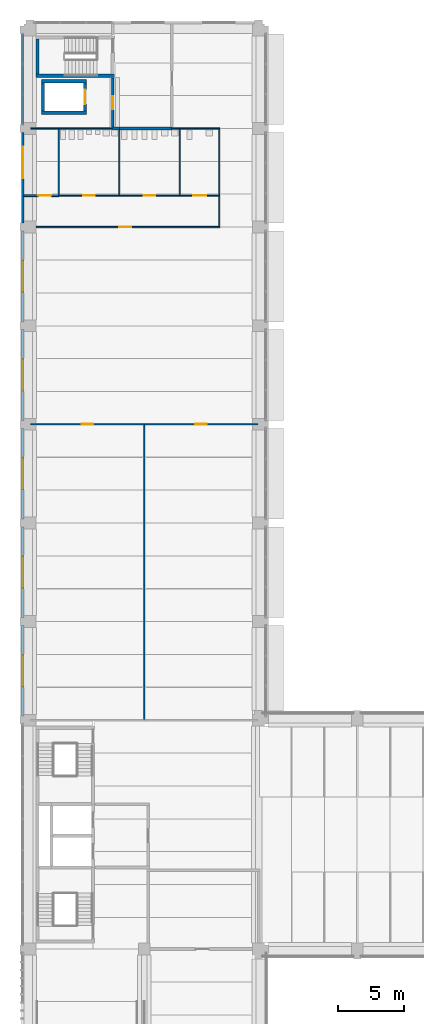
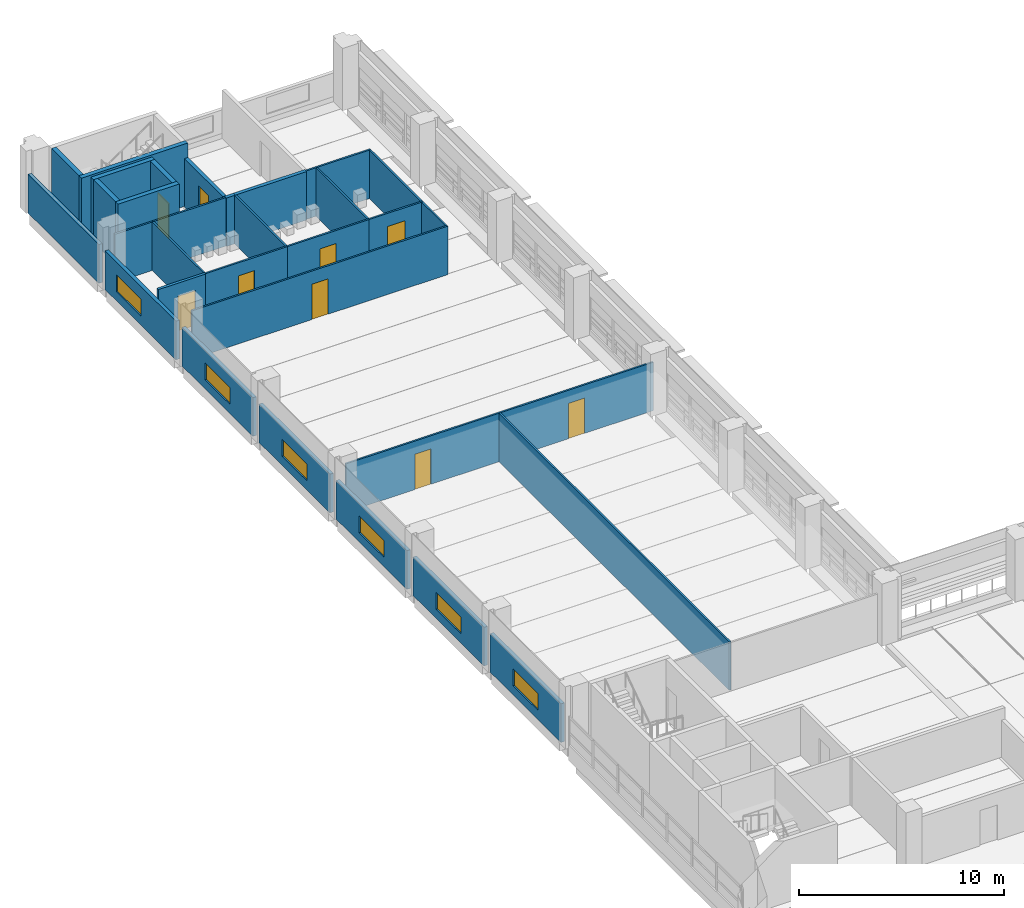
# One storey, part 31 of 57: 33 walls, 9 doors, 6 windows, 15 openings.
"""IFC4 building model written with IfcOpenShell, lengths in metres."""

from ifc_helpers import new_model, si_unit, direction, frame, frame_2d, origin, place, context, subcontext, project, spatial, rectangle, extrude, material, layer, layer_set, type_object, element, fill, save


model = new_model("IFC4")

# Units and contexts
model_context = context("Model", 3, precision=1e-05, world=origin(), true_north=direction((0.0, 1.0)))
body_context = subcontext(model_context, "Body", "Model", "MODEL_VIEW")
ifc_project = project(units=[si_unit("LENGTHUNIT", "METRE"), si_unit("AREAUNIT", "SQUARE_METRE"), si_unit("VOLUMEUNIT", "CUBIC_METRE"), si_unit("PLANEANGLEUNIT", "RADIAN"), si_unit("MASSUNIT", "GRAM", prefix="KILO")], contexts=[model_context])

# Site, building, storey
site_placement = place(None, origin())
site = spatial("IfcSite", under=ifc_project, at=site_placement, CompositionType="ELEMENT")
building_placement = place(site_placement, origin())
building = spatial("IfcBuilding", under=site, at=building_placement, Name="Cour d'Honneur Mobility Palace", CompositionType="ELEMENT")
storey_placement = place(building_placement, frame((0.0, 0.0, 8.199951171875)))
storey = spatial("IfcBuildingStorey", under=building, at=storey_placement, Name="L02", CompositionType="ELEMENT", Elevation=8.199951171875)

# Walls
ifc_material_1 = material(Name="Concrete C50", Category="concrete")
ifc_layer_1 = layer(ifc_material_1, 0.25)
ifc_layer_set_1 = layer_set([ifc_layer_1], Name="Concrete C50")
wall_type_1 = type_object("IfcWallType", Name="Lift shaft wall 250", PredefinedType="SHEAR", material=ifc_layer_set_1)
for number, where, z_axis, x_axis, name in (
    (1, (0.875, 108.60009765625, 0.0), (0.0, 0.0, 1.0), (1.0, 0.0, 0.0), "Lift shaft wall WL-NW1 L02"),
    (2, (0.875, 111.0, 0.0), (0.0, 0.0, 1.0), (1.0, 0.0, 0.0), "Lift shaft wall WL-NW2 L02"),
):
    element("IfcWall", number, at=place(storey_placement, frame(where, z_axis=z_axis, x_axis=x_axis)), inside=storey, type_object=wall_type_1, Name=name, PredefinedType="SHEAR", context=body_context, shape_type="SweptSolid", body=[
        extrude(rectangle(XDim=3.449951171875, YDim=0.25, at=frame_2d((1.72509765625, 0.0))), origin(), (0.0, 0.0, 1.0), 3.699951171875),
    ])
wall_1_placement = place(storey_placement, frame((1.0, 108.72509765625, 0.0), z_axis=(0.0, 0.0, 1.0), x_axis=(0.0, 1.0, 0.0)))
element("IfcWall", 3, at=wall_1_placement, inside=storey, type_object=wall_type_1, Name="Lift shaft wall WL-NW6 L02", PredefinedType="SHEAR", context=body_context, shape_type="SweptSolid", body=[
    extrude(rectangle(XDim=2.14990234375, YDim=0.25, at=frame_2d((1.074951171875, 0.0))), origin(), (0.0, 0.0, 1.0), 3.699951171875),
])

# Wall, opening, door
wall_2_placement = place(storey_placement, frame((4.199951171875, 108.72509765625, 0.0), z_axis=(0.0, 0.0, 1.0), x_axis=(0.0, 1.0, 0.0)))
wall_2 = element("IfcWall", 4, at=wall_2_placement, inside=storey, type_object=wall_type_1, Name="Lift shaft wall WL-NW7 L02", PredefinedType="SHEAR", context=body_context, shape_type="SweptSolid", body=[
    extrude(rectangle(XDim=2.14990234375, YDim=0.25, at=frame_2d((1.074951171875, 0.0))), origin(), (0.0, 0.0, 1.0), 3.699951171875),
])
opening_1_placement = place(wall_2_placement, frame((0.52490234375, 0.0, 0.0)))
opening_1 = element("IfcOpeningElement", 5, at=opening_1_placement, cuts=wall_2, Name="Opening LD55", PredefinedType="OPENING", context=body_context, shape_type="SweptSolid", body=[
    extrude(rectangle(XDim=1.10009765625, YDim=2.10009765625, at=frame_2d((0.550048828125, 1.050048828125))), frame((0.0, 0.135009765625, 0.0), z_axis=(0.0, -1.0, 0.0), x_axis=(1.0, 0.0, 0.0)), (0.0, 0.0, 1.0), 0.27001953125),
])
ifc_material_2 = material(Name="Stainless steel", Category="steel")
door_type_1 = type_object("IfcDoorType", Name="Landing door 1100 x 2100", OperationType="SLIDING_TO_LEFT", PredefinedType="DOOR", material=ifc_material_2)
door_1_placement = place(opening_1_placement, origin())
door_1 = element("IfcDoor", 6, at=door_1_placement, inside=storey, type_object=door_type_1, Name="Landing door LF-NW1 L02", OperationType="SLIDING_TO_LEFT", OverallHeight=2.10009765625, OverallWidth=1.10009765625, PredefinedType="DOOR", context=body_context, shape_type="SweptSolid", body=[
    extrude(rectangle(XDim=1.10009765625, YDim=2.10009765625, at=frame_2d((0.550048828125, 1.050048828125))), frame((0.0, 0.02490234375, 0.0), z_axis=(0.0, -1.0, 0.0), x_axis=(1.0, 0.0, 0.0)), (0.0, 0.0, 1.0), 0.050048828125),
])
fill(opening_1, door_1)

ifc_material_3 = material(Name="Concrete C50", Category="concrete")
ifc_layer_2 = layer(ifc_material_3, 0.199951171875)
ifc_layer_set_2 = layer_set([ifc_layer_2], Name="Concrete C50")
wall_type_2 = type_object("IfcWallType", Name="Load-bearing lobby wall 200 rated EI 120", PredefinedType="PARTITIONING", material=ifc_layer_set_2)
wall_3_placement = place(storey_placement, frame((6.300048828125, 111.22509765625, 0.0), z_axis=(0.0, 0.0, 1.0), x_axis=(0.0, -1.0, 0.0)))
wall_3 = element("IfcWall", 7, at=wall_3_placement, inside=storey, type_object=wall_type_2, Name="Partition 085", PredefinedType="PARTITIONING", context=body_context, shape_type="SweptSolid", body=[
    extrude(rectangle(XDim=3.72509765625, YDim=0.199951171875, at=frame_2d((1.862548828125, 0.0))), origin(), (0.0, 0.0, 1.0), 2.880126953125),
])
opening_2_placement = place(wall_3_placement, frame((1.362548828125, 0.0, 0.0)))
opening_2 = element("IfcOpeningElement", 8, at=opening_2_placement, cuts=wall_3, Name="Opening D0229", PredefinedType="OPENING", context=body_context, shape_type="SweptSolid", body=[
    extrude(rectangle(XDim=1.0, YDim=2.10009765625, at=frame_2d((0.5, 1.050048828125))), frame((0.0, 0.10986328125, 0.0), z_axis=(0.0, -1.0, 0.0), x_axis=(1.0, 0.0, 0.0)), (0.0, 0.0, 1.0), 0.219970703125),
])
ifc_material_4 = material(Name="Galvanised steel", Category="steel")
door_type_2 = type_object("IfcDoorType", Name="Fire door FD120 1000 x 2100", OperationType="SINGLE_SWING_LEFT", PredefinedType="DOOR", material=ifc_material_4)
door_2_placement = place(opening_2_placement, origin())
door_2 = element("IfcDoor", 9, at=door_2_placement, inside=storey, type_object=door_type_2, Name="Door Lift Lobby", OperationType="SINGLE_SWING_RIGHT", OverallHeight=2.10009765625, OverallWidth=1.0, PredefinedType="DOOR", context=body_context, shape_type="SweptSolid", body=[
    extrude(rectangle(XDim=1.0, YDim=2.10009765625, at=frame_2d((0.5, 1.050048828125))), frame((0.0, 0.02490234375, 0.0), z_axis=(0.0, -1.0, 0.0), x_axis=(1.0, 0.0, 0.0)), (0.0, 0.0, 1.0), 0.050048828125),
])
fill(opening_2, door_2)

# Wall
ifc_material_5 = material(Name="Gypsum plasterboard")
ifc_layer_3 = layer(ifc_material_5, 0.10009765625)
ifc_layer_set_3 = layer_set([ifc_layer_3], Name="Gypsum plasterboard")
wall_type_3 = type_object("IfcWallType", Name="Partition 100", PredefinedType="PARTITIONING", material=ifc_layer_set_3)
wall_4_placement = place(storey_placement, frame((8.699951171875, 62.449951171875, 0.0), z_axis=(0.0, 0.0, 1.0), x_axis=(0.0, 1.0, 0.0)))
element("IfcWall", 10, at=wall_4_placement, inside=storey, type_object=wall_type_3, Name="Partition 042", PredefinedType="PARTITIONING", context=body_context, shape_type="SweptSolid", body=[
    extrude(rectangle(XDim=22.400146484375, YDim=0.10009765625, at=frame_2d((11.2001953125, 0.0))), origin(), (0.0, 0.0, 1.0), 2.880126953125),
])

# Wall, opening, door
wall_5_placement = place(storey_placement, frame((8.699951171875, 84.89990234375, 0.0), z_axis=(0.0, 0.0, 1.0), x_axis=(-1.0, 0.0, 0.0)))
wall_5 = element("IfcWall", 11, at=wall_5_placement, inside=storey, type_object=wall_type_3, Name="Partition 044", PredefinedType="PARTITIONING", context=body_context, shape_type="SweptSolid", body=[
    extrude(rectangle(XDim=8.639892578125, YDim=0.10009765625, at=frame_2d((4.31982421875, 0.0))), origin(), (0.0, 0.0, 1.0), 2.880126953125),
])
opening_3_placement = place(wall_5_placement, frame((3.8701171875, 0.0, 0.0)))
opening_3 = element("IfcOpeningElement", 12, at=opening_3_placement, cuts=wall_5, Name="Opening D0213", PredefinedType="OPENING", context=body_context, shape_type="SweptSolid", body=[
    extrude(rectangle(XDim=0.89990234375, YDim=2.10009765625, at=frame_2d((0.449951171875, 1.050048828125))), frame((0.0, 0.06005859375, 0.0), z_axis=(0.0, -1.0, 0.0), x_axis=(1.0, 0.0, 0.0)), (0.0, 0.0, 1.0), 0.1201171875),
])
ifc_material_6 = material(Name="Solid timber", Category="wood")
door_type_3 = type_object("IfcDoorType", Name="Single door 900 x 2100", OperationType="SINGLE_SWING_LEFT", PredefinedType="DOOR", material=ifc_material_6)
door_3_placement = place(opening_3_placement, origin())
door_3 = element("IfcDoor", 13, at=door_3_placement, inside=storey, type_object=door_type_3, Name="Door Cycle Training Room", OperationType="SINGLE_SWING_RIGHT", OverallHeight=2.10009765625, OverallWidth=0.89990234375, PredefinedType="DOOR", context=body_context, shape_type="SweptSolid", body=[
    extrude(rectangle(XDim=0.89990234375, YDim=2.10009765625, at=frame_2d((0.449951171875, 1.050048828125))), frame((0.0, 0.02490234375, 0.0), z_axis=(0.0, -1.0, 0.0), x_axis=(1.0, 0.0, 0.0)), (0.0, 0.0, 1.0), 0.050048828125),
])
fill(opening_3, door_3)

wall_6_placement = place(storey_placement, frame((17.340087890625, 84.89990234375, 0.0), z_axis=(0.0, 0.0, 1.0), x_axis=(-1.0, 0.0, 0.0)))
wall_6 = element("IfcWall", 14, at=wall_6_placement, inside=storey, type_object=wall_type_3, Name="Partition 045", PredefinedType="PARTITIONING", context=body_context, shape_type="SweptSolid", body=[
    extrude(rectangle(XDim=8.64013671875, YDim=0.10009765625, at=frame_2d((4.320068359375, 0.0))), origin(), (0.0, 0.0, 1.0), 2.880126953125),
])
opening_4_placement = place(wall_6_placement, frame((3.8701171875, 0.0, 0.0)))
opening_4 = element("IfcOpeningElement", 15, at=opening_4_placement, cuts=wall_6, Name="Opening D0214", PredefinedType="OPENING", context=body_context, shape_type="SweptSolid", body=[
    extrude(rectangle(XDim=0.89990234375, YDim=2.10009765625, at=frame_2d((0.449951171875, 1.050048828125))), frame((0.0, 0.06005859375, 0.0), z_axis=(0.0, -1.0, 0.0), x_axis=(1.0, 0.0, 0.0)), (0.0, 0.0, 1.0), 0.1201171875),
])
door_4_placement = place(opening_4_placement, origin())
door_4 = element("IfcDoor", 16, at=door_4_placement, inside=storey, type_object=door_type_3, Name="Door Bicycle Workshop Classroom", OperationType="SINGLE_SWING_LEFT", OverallHeight=2.10009765625, OverallWidth=0.89990234375, PredefinedType="DOOR", context=body_context, shape_type="SweptSolid", body=[
    extrude(rectangle(XDim=0.89990234375, YDim=2.10009765625, at=frame_2d((0.449951171875, 1.050048828125))), frame((0.0, 0.02490234375, 0.0), z_axis=(0.0, -1.0, 0.0), x_axis=(1.0, 0.0, 0.0)), (0.0, 0.0, 1.0), 0.050048828125),
])
fill(opening_4, door_4)

wall_7_placement = place(storey_placement, frame((0.06005859375, 99.89990234375, 0.0), z_axis=(0.0, 0.0, 1.0), x_axis=(1.0, 0.0, 0.0)))
wall_7 = element("IfcWall", 17, at=wall_7_placement, inside=storey, type_object=wall_type_3, Name="Partition 050", PredefinedType="PARTITIONING", context=body_context, shape_type="SweptSolid", body=[
    extrude(rectangle(XDim=14.389892578125, YDim=0.10009765625, at=frame_2d((7.19482421875, 0.0))), origin(), (0.0, 0.0, 1.0), 2.880126953125),
])
opening_5_placement = place(wall_7_placement, frame((6.7451171875, 0.0, 0.0)))
opening_5 = element("IfcOpeningElement", 18, at=opening_5_placement, cuts=wall_7, Name="Opening D0215", PredefinedType="OPENING", context=body_context, shape_type="SweptSolid", body=[
    extrude(rectangle(XDim=0.89990234375, YDim=2.10009765625, at=frame_2d((0.449951171875, 1.050048828125))), frame((0.0, 0.06005859375, 0.0), z_axis=(0.0, -1.0, 0.0), x_axis=(1.0, 0.0, 0.0)), (0.0, 0.0, 1.0), 0.1201171875),
])
door_5_placement = place(opening_5_placement, origin())
door_5 = element("IfcDoor", 19, at=door_5_placement, inside=storey, type_object=door_type_3, Name="Door WC Corridor West", OperationType="SINGLE_SWING_RIGHT", OverallHeight=2.10009765625, OverallWidth=0.89990234375, PredefinedType="DOOR", context=body_context, shape_type="SweptSolid", body=[
    extrude(rectangle(XDim=0.89990234375, YDim=2.10009765625, at=frame_2d((0.449951171875, 1.050048828125))), frame((0.0, 0.02490234375, 0.0), z_axis=(0.0, -1.0, 0.0), x_axis=(1.0, 0.0, 0.0)), (0.0, 0.0, 1.0), 0.050048828125),
])
fill(opening_5, door_5)

# Walls
wall_8_placement = place(storey_placement, frame((14.39990234375, 99.949951171875, 0.0), z_axis=(0.0, 0.0, 1.0), x_axis=(0.0, 1.0, 0.0)))
element("IfcWall", 20, at=wall_8_placement, inside=storey, type_object=wall_type_3, Name="Partition 051", PredefinedType="PARTITIONING", context=body_context, shape_type="SweptSolid", body=[
    extrude(rectangle(XDim=2.300048828125, YDim=0.10009765625, at=frame_2d((1.14990234375, 0.0))), origin(), (0.0, 0.0, 1.0), 2.880126953125),
])
wall_9_placement = place(storey_placement, frame((2.199951171875, 102.375, 0.0), z_axis=(0.0, 0.0, 1.0), x_axis=(0.0, 1.0, 0.0)))
element("IfcWall", 21, at=wall_9_placement, inside=storey, type_object=wall_type_3, Name="Partition 055", PredefinedType="PARTITIONING", context=body_context, shape_type="SweptSolid", body=[
    extrude(rectangle(XDim=4.97509765625, YDim=0.10009765625, at=frame_2d((2.487548828125, 0.0))), origin(), (0.0, 0.0, 1.0), 2.880126953125),
])

# Wall, opening, door
wall_10_placement = place(storey_placement, frame((6.800048828125, 102.300048828125, 0.0), z_axis=(0.0, 0.0, 1.0), x_axis=(-1.0, 0.0, 0.0)))
wall_10 = element("IfcWall", 22, at=wall_10_placement, inside=storey, type_object=wall_type_3, Name="Partition 056", PredefinedType="PARTITIONING", context=body_context, shape_type="SweptSolid", body=[
    extrude(rectangle(XDim=4.60009765625, YDim=0.10009765625, at=frame_2d((2.300048828125, 0.0))), origin(), (0.0, 0.0, 1.0), 2.880126953125),
])
opening_6_placement = place(wall_10_placement, frame((1.85009765625, 0.0, 0.0)))
opening_6 = element("IfcOpeningElement", 23, at=opening_6_placement, cuts=wall_10, Name="Opening D0217", PredefinedType="OPENING", context=body_context, shape_type="SweptSolid", body=[
    extrude(rectangle(XDim=0.89990234375, YDim=2.10009765625, at=frame_2d((0.449951171875, 1.050048828125))), frame((0.0, 0.06005859375, 0.0), z_axis=(0.0, -1.0, 0.0), x_axis=(1.0, 0.0, 0.0)), (0.0, 0.0, 1.0), 0.1201171875),
])
door_6_placement = place(opening_6_placement, origin())
door_6 = element("IfcDoor", 24, at=door_6_placement, inside=storey, type_object=door_type_3, Name="Door WC Men West", OperationType="SINGLE_SWING_LEFT", OverallHeight=2.10009765625, OverallWidth=0.89990234375, PredefinedType="DOOR", context=body_context, shape_type="SweptSolid", body=[
    extrude(rectangle(XDim=0.89990234375, YDim=2.10009765625, at=frame_2d((0.449951171875, 1.050048828125))), frame((0.0, 0.02490234375, 0.0), z_axis=(0.0, -1.0, 0.0), x_axis=(1.0, 0.0, 0.0)), (0.0, 0.0, 1.0), 0.050048828125),
])
fill(opening_6, door_6)

# Wall
wall_11_placement = place(storey_placement, frame((6.800048828125, 102.35009765625, 0.0), z_axis=(0.0, 0.0, 1.0), x_axis=(0.0, 1.0, 0.0)))
element("IfcWall", 25, at=wall_11_placement, inside=storey, type_object=wall_type_3, Name="Partition 057", PredefinedType="PARTITIONING", context=body_context, shape_type="SweptSolid", body=[
    extrude(rectangle(XDim=4.949951171875, YDim=0.10009765625, at=frame_2d((2.47509765625, 0.0))), origin(), (0.0, 0.0, 1.0), 2.880126953125),
])

# Wall, opening, door
wall_12_placement = place(storey_placement, frame((11.39990234375, 102.300048828125, 0.0), z_axis=(0.0, 0.0, 1.0), x_axis=(-1.0, 0.0, 0.0)))
wall_12 = element("IfcWall", 26, at=wall_12_placement, inside=storey, type_object=wall_type_3, Name="Partition 058", PredefinedType="PARTITIONING", context=body_context, shape_type="SweptSolid", body=[
    extrude(rectangle(XDim=4.599853515625, YDim=0.10009765625, at=frame_2d((2.2998046875, 0.0))), origin(), (0.0, 0.0, 1.0), 2.880126953125),
])
opening_7_placement = place(wall_12_placement, frame((1.85009765625, 0.0, 0.0)))
opening_7 = element("IfcOpeningElement", 27, at=opening_7_placement, cuts=wall_12, Name="Opening D0218", PredefinedType="OPENING", context=body_context, shape_type="SweptSolid", body=[
    extrude(rectangle(XDim=0.89990234375, YDim=2.10009765625, at=frame_2d((0.449951171875, 1.050048828125))), frame((0.0, 0.06005859375, 0.0), z_axis=(0.0, -1.0, 0.0), x_axis=(1.0, 0.0, 0.0)), (0.0, 0.0, 1.0), 0.1201171875),
])
door_7_placement = place(opening_7_placement, origin())
door_7 = element("IfcDoor", 28, at=door_7_placement, inside=storey, type_object=door_type_3, Name="Door WC Women West", OperationType="SINGLE_SWING_LEFT", OverallHeight=2.10009765625, OverallWidth=0.89990234375, PredefinedType="DOOR", context=body_context, shape_type="SweptSolid", body=[
    extrude(rectangle(XDim=0.89990234375, YDim=2.10009765625, at=frame_2d((0.449951171875, 1.050048828125))), frame((0.0, 0.02490234375, 0.0), z_axis=(0.0, -1.0, 0.0), x_axis=(1.0, 0.0, 0.0)), (0.0, 0.0, 1.0), 0.050048828125),
])
fill(opening_7, door_7)

# Wall
wall_13_placement = place(storey_placement, frame((11.39990234375, 102.35009765625, 0.0), z_axis=(0.0, 0.0, 1.0), x_axis=(0.0, 1.0, 0.0)))
element("IfcWall", 29, at=wall_13_placement, inside=storey, type_object=wall_type_3, Name="Partition 059", PredefinedType="PARTITIONING", context=body_context, shape_type="SweptSolid", body=[
    extrude(rectangle(XDim=5.0, YDim=0.10009765625, at=frame_2d((2.5, 0.0))), origin(), (0.0, 0.0, 1.0), 2.880126953125),
])

# Wall, opening, door
wall_14_placement = place(storey_placement, frame((14.449951171875, 102.300048828125, 0.0), z_axis=(0.0, 0.0, 1.0), x_axis=(-1.0, 0.0, 0.0)))
wall_14 = element("IfcWall", 30, at=wall_14_placement, inside=storey, type_object=wall_type_3, Name="Partition 060", PredefinedType="PARTITIONING", context=body_context, shape_type="SweptSolid", body=[
    extrude(rectangle(XDim=3.050048828125, YDim=0.10009765625, at=frame_2d((1.52490234375, 0.0))), origin(), (0.0, 0.0, 1.0), 2.880126953125),
])
opening_8_placement = place(wall_14_placement, frame((1.02490234375, 0.0, 0.0)))
opening_8 = element("IfcOpeningElement", 31, at=opening_8_placement, cuts=wall_14, Name="Opening D0219", PredefinedType="OPENING", context=body_context, shape_type="SweptSolid", body=[
    extrude(rectangle(XDim=1.0, YDim=2.10009765625, at=frame_2d((0.5, 1.050048828125))), frame((0.0, 0.06005859375, 0.0), z_axis=(0.0, -1.0, 0.0), x_axis=(1.0, 0.0, 0.0)), (0.0, 0.0, 1.0), 0.1201171875),
])
ifc_material_7 = material(Name="Solid timber", Category="wood")
door_type_4 = type_object("IfcDoorType", Name="Accessible door 1000 x 2100", OperationType="SINGLE_SWING_LEFT", PredefinedType="DOOR", material=ifc_material_7)
door_8_placement = place(opening_8_placement, origin())
door_8 = element("IfcDoor", 32, at=door_8_placement, inside=storey, type_object=door_type_4, Name="Door Accessible WC West", OperationType="SINGLE_SWING_LEFT", OverallHeight=2.10009765625, OverallWidth=1.0, PredefinedType="DOOR", context=body_context, shape_type="SweptSolid", body=[
    extrude(rectangle(XDim=1.0, YDim=2.10009765625, at=frame_2d((0.5, 1.050048828125))), frame((0.0, 0.02490234375, 0.0), z_axis=(0.0, -1.0, 0.0), x_axis=(1.0, 0.0, 0.0)), (0.0, 0.0, 1.0), 0.050048828125),
])
fill(opening_8, door_8)

# Walls
wall_15_placement = place(storey_placement, frame((14.39990234375, 102.35009765625, 0.0), z_axis=(0.0, 0.0, 1.0), x_axis=(0.0, 1.0, 0.0)))
element("IfcWall", 33, at=wall_15_placement, inside=storey, type_object=wall_type_3, Name="Partition 061", PredefinedType="PARTITIONING", context=body_context, shape_type="SweptSolid", body=[
    extrude(rectangle(XDim=5.0, YDim=0.10009765625, at=frame_2d((2.5, 0.0))), origin(), (0.0, 0.0, 1.0), 2.880126953125),
])
wall_16_placement = place(storey_placement, frame((2.199951171875, 107.39990234375, 0.0), z_axis=(0.0, 0.0, 1.0), x_axis=(-1.0, 0.0, 0.0)))
element("IfcWall", 34, at=wall_16_placement, inside=storey, type_object=wall_type_3, Name="Partition 067", PredefinedType="PARTITIONING", context=body_context, shape_type="SweptSolid", body=[
    extrude(rectangle(XDim=2.139892578125, YDim=0.10009765625, at=frame_2d((1.06982421875, 0.0))), origin(), (0.0, 0.0, 1.0), 2.880126953125),
])
wall_17_placement = place(storey_placement, frame((6.300048828125, 107.39990234375, 0.0), z_axis=(0.0, 0.0, 1.0), x_axis=(-1.0, 0.0, 0.0)))
element("IfcWall", 35, at=wall_17_placement, inside=storey, type_object=wall_type_3, Name="Partition 068", PredefinedType="PARTITIONING", context=body_context, shape_type="SweptSolid", body=[
    extrude(rectangle(XDim=4.10009765625, YDim=0.10009765625, at=frame_2d((2.050048828125, 0.0))), origin(), (0.0, 0.0, 1.0), 2.880126953125),
])
wall_18_placement = place(storey_placement, frame((11.39990234375, 107.39990234375, 0.0), z_axis=(0.0, 0.0, 1.0), x_axis=(-1.0, 0.0, 0.0)))
element("IfcWall", 36, at=wall_18_placement, inside=storey, type_object=wall_type_3, Name="Partition 072", PredefinedType="PARTITIONING", context=body_context, shape_type="SweptSolid", body=[
    extrude(rectangle(XDim=0.599853515625, YDim=0.10009765625, at=frame_2d((0.2998046875, 0.0))), origin(), (0.0, 0.0, 1.0), 2.880126953125),
])
wall_19_placement = place(storey_placement, frame((14.449951171875, 107.39990234375, 0.0), z_axis=(0.0, 0.0, 1.0), x_axis=(-1.0, 0.0, 0.0)))
element("IfcWall", 37, at=wall_19_placement, inside=storey, type_object=wall_type_3, Name="Partition 073", PredefinedType="PARTITIONING", context=body_context, shape_type="SweptSolid", body=[
    extrude(rectangle(XDim=3.050048828125, YDim=0.10009765625, at=frame_2d((1.52490234375, 0.0))), origin(), (0.0, 0.0, 1.0), 2.880126953125),
])

# Wall, opening, door
ifc_material_8 = material(Name="Gypsum plasterboard")
ifc_layer_4 = layer(ifc_material_8, 0.14990234375)
ifc_layer_set_4 = layer_set([ifc_layer_4], Name="Gypsum plasterboard")
wall_type_4 = type_object("IfcWallType", Name="Partition 150 rated EI 60", PredefinedType="PARTITIONING", material=ifc_layer_set_4)
wall_20_placement = place(storey_placement, frame((2.199951171875, 102.300048828125, 0.0), z_axis=(0.0, 0.0, 1.0), x_axis=(-1.0, 0.0, 0.0)))
wall_20 = element("IfcWall", 38, at=wall_20_placement, inside=storey, type_object=wall_type_4, Name="Partition 054", PredefinedType="PARTITIONING", context=body_context, shape_type="SweptSolid", body=[
    extrude(rectangle(XDim=2.64990234375, YDim=0.14990234375, at=frame_2d((1.324951171875, 0.0))), origin(), (0.0, 0.0, 1.0), 2.880126953125),
])
opening_9_placement = place(wall_20_placement, frame((0.570068359375, 0.0, 0.0)))
opening_9 = element("IfcOpeningElement", 39, at=opening_9_placement, cuts=wall_20, Name="Opening D0216", PredefinedType="OPENING", context=body_context, shape_type="SweptSolid", body=[
    extrude(rectangle(XDim=1.0, YDim=2.10009765625, at=frame_2d((0.5, 1.050048828125))), frame((0.0, 0.0849609375, 0.0), z_axis=(0.0, -1.0, 0.0), x_axis=(1.0, 0.0, 0.0)), (0.0, 0.0, 1.0), 0.169921875),
])
ifc_material_9 = material(Name="Galvanised steel", Category="steel")
door_type_5 = type_object("IfcDoorType", Name="Fire door FD60 1000 x 2100", OperationType="SINGLE_SWING_LEFT", PredefinedType="DOOR", material=ifc_material_9)
door_9_placement = place(opening_9_placement, origin())
door_9 = element("IfcDoor", 40, at=door_9_placement, inside=storey, type_object=door_type_5, Name="Door Cleaner's Store West", OperationType="SINGLE_SWING_LEFT", OverallHeight=2.10009765625, OverallWidth=1.0, PredefinedType="DOOR", context=body_context, shape_type="SweptSolid", body=[
    extrude(rectangle(XDim=1.0, YDim=2.10009765625, at=frame_2d((0.5, 1.050048828125))), frame((0.0, 0.02490234375, 0.0), z_axis=(0.0, -1.0, 0.0), x_axis=(1.0, 0.0, 0.0)), (0.0, 0.0, 1.0), 0.050048828125),
])
fill(opening_9, door_9)

# Walls
ifc_material_10 = material(Name="Gypsum plasterboard")
ifc_layer_5 = layer(ifc_material_10, 0.199951171875)
ifc_layer_set_5 = layer_set([ifc_layer_5], Name="Gypsum plasterboard")
wall_type_5 = type_object("IfcWallType", Name="Partition 200 rated EI 120", PredefinedType="PARTITIONING", material=ifc_layer_set_5)
wall_21_placement = place(storey_placement, frame((6.300048828125, 107.39990234375, 0.0), z_axis=(0.0, 0.0, 1.0), x_axis=(1.0, 0.0, 0.0)))
element("IfcWall", 41, at=wall_21_placement, inside=storey, type_object=wall_type_5, Name="Partition 069", PredefinedType="PARTITIONING", context=body_context, shape_type="SweptSolid", body=[
    extrude(rectangle(XDim=0.5, YDim=0.199951171875, at=frame_2d((0.25, 0.0))), origin(), (0.0, 0.0, 1.0), 2.880126953125),
])
wall_22_placement = place(storey_placement, frame((6.800048828125, 107.39990234375, 0.0), z_axis=(0.0, 0.0, 1.0), x_axis=(1.0, 0.0, 0.0)))
element("IfcWall", 42, at=wall_22_placement, inside=storey, type_object=wall_type_5, Name="Partition 070", PredefinedType="PARTITIONING", context=body_context, shape_type="SweptSolid", body=[
    extrude(rectangle(XDim=4.0, YDim=0.199951171875, at=frame_2d((2.0, 0.0))), origin(), (0.0, 0.0, 1.0), 2.880126953125),
])
ifc_material_11 = material(Name="Concrete C40", Category="concrete")
ifc_layer_6 = layer(ifc_material_11, 0.199951171875)
ifc_layer_set_6 = layer_set([ifc_layer_6], Name="Concrete C40")
wall_type_6 = type_object("IfcWallType", Name="Spandrel panel", PredefinedType="SOLIDWALL", material=ifc_layer_set_6)
wall_23_placement = place(storey_placement, frame((-0.550048828125, 114.60009765625, 0.0), z_axis=(0.0, 0.0, 1.0), x_axis=(0.0, -1.0, 0.0)))
element("IfcWall", 43, at=wall_23_placement, inside=storey, type_object=wall_type_6, Name="Spandrel panel SW-10", PredefinedType="SOLIDWALL", context=body_context, shape_type="SweptSolid", body=[
    extrude(rectangle(XDim=6.900146484375, YDim=0.199951171875, at=frame_2d((3.4501953125, 0.0))), origin(), (0.0, 0.0, 1.0), 2.300048828125),
])

# Wall, opening, window
wall_24_placement = place(storey_placement, frame((-0.550048828125, 107.10009765625, 0.0), z_axis=(0.0, 0.0, 1.0), x_axis=(0.0, -1.0, 0.0)))
wall_24 = element("IfcWall", 44, at=wall_24_placement, inside=storey, type_object=wall_type_6, Name="Spandrel panel SW-11", PredefinedType="SOLIDWALL", context=body_context, shape_type="SweptSolid", body=[
    extrude(rectangle(XDim=6.900146484375, YDim=0.199951171875, at=frame_2d((3.4501953125, 0.0))), origin(), (0.0, 0.0, 1.0), 2.300048828125),
])
opening_10_placement = place(wall_24_placement, frame((1.10009765625, 0.0, 0.550048828125)))
opening_10 = element("IfcOpeningElement", 45, at=opening_10_placement, cuts=wall_24, Name="Opening W2-11", PredefinedType="OPENING", context=body_context, shape_type="SweptSolid", body=[
    extrude(rectangle(XDim=2.39990234375, YDim=1.0, at=frame_2d((1.199951171875, 0.5))), frame((0.0, 0.10986328125, 0.0), z_axis=(0.0, -1.0, 0.0), x_axis=(1.0, 0.0, 0.0)), (0.0, 0.0, 1.0), 0.219970703125),
])
ifc_material_12 = material(Name="Aluminium frame and glass", Category="aluminium")
window_type = type_object("IfcWindowType", Name="Gallery window W2", PartitioningType="TRIPLE_PANEL_VERTICAL", PredefinedType="WINDOW", material=ifc_material_12)
window_1_placement = place(opening_10_placement, origin())
window_1 = element("IfcWindow", 46, at=window_1_placement, inside=storey, type_object=window_type, Name="Gallery window W2 W2-11", OverallHeight=1.0, OverallWidth=2.39990234375, PartitioningType="SINGLE_PANEL", PredefinedType="WINDOW", context=body_context, shape_type="SweptSolid", body=[
    extrude(rectangle(XDim=2.39990234375, YDim=1.0, at=frame_2d((1.199951171875, 0.5))), frame((0.0, 0.030029296875, 0.0), z_axis=(0.0, -1.0, 0.0), x_axis=(1.0, 0.0, 0.0)), (0.0, 0.0, 1.0), 0.06005859375),
])
fill(opening_10, window_1)

wall_25_placement = place(storey_placement, frame((-0.550048828125, 99.60009765625, 0.0), z_axis=(0.0, 0.0, 1.0), x_axis=(0.0, -1.0, 0.0)))
wall_25 = element("IfcWall", 47, at=wall_25_placement, inside=storey, type_object=wall_type_6, Name="Spandrel panel SW-12", PredefinedType="SOLIDWALL", context=body_context, shape_type="SweptSolid", body=[
    extrude(rectangle(XDim=6.900146484375, YDim=0.199951171875, at=frame_2d((3.4501953125, 0.0))), origin(), (0.0, 0.0, 1.0), 2.300048828125),
])
opening_11_placement = place(wall_25_placement, frame((2.25, 0.0, 0.550048828125)))
opening_11 = element("IfcOpeningElement", 48, at=opening_11_placement, cuts=wall_25, Name="Opening W2-12", PredefinedType="OPENING", context=body_context, shape_type="SweptSolid", body=[
    extrude(rectangle(XDim=2.39990234375, YDim=1.0, at=frame_2d((1.199951171875, 0.5))), frame((0.0, 0.10986328125, 0.0), z_axis=(0.0, -1.0, 0.0), x_axis=(1.0, 0.0, 0.0)), (0.0, 0.0, 1.0), 0.219970703125),
])
window_2_placement = place(opening_11_placement, origin())
window_2 = element("IfcWindow", 49, at=window_2_placement, inside=storey, type_object=window_type, Name="Gallery window W2 W2-12", OverallHeight=1.0, OverallWidth=2.39990234375, PartitioningType="SINGLE_PANEL", PredefinedType="WINDOW", context=body_context, shape_type="SweptSolid", body=[
    extrude(rectangle(XDim=2.39990234375, YDim=1.0, at=frame_2d((1.199951171875, 0.5))), frame((0.0, 0.030029296875, 0.0), z_axis=(0.0, -1.0, 0.0), x_axis=(1.0, 0.0, 0.0)), (0.0, 0.0, 1.0), 0.06005859375),
])
fill(opening_11, window_2)

wall_26_placement = place(storey_placement, frame((-0.550048828125, 92.10009765625, 0.0), z_axis=(0.0, 0.0, 1.0), x_axis=(0.0, -1.0, 0.0)))
wall_26 = element("IfcWall", 50, at=wall_26_placement, inside=storey, type_object=wall_type_6, Name="Spandrel panel SW-13", PredefinedType="SOLIDWALL", context=body_context, shape_type="SweptSolid", body=[
    extrude(rectangle(XDim=6.900146484375, YDim=0.199951171875, at=frame_2d((3.4501953125, 0.0))), origin(), (0.0, 0.0, 1.0), 2.300048828125),
])
opening_12_placement = place(wall_26_placement, frame((2.25, 0.0, 0.550048828125)))
opening_12 = element("IfcOpeningElement", 51, at=opening_12_placement, cuts=wall_26, Name="Opening W2-13", PredefinedType="OPENING", context=body_context, shape_type="SweptSolid", body=[
    extrude(rectangle(XDim=2.39990234375, YDim=1.0, at=frame_2d((1.199951171875, 0.5))), frame((0.0, 0.10986328125, 0.0), z_axis=(0.0, -1.0, 0.0), x_axis=(1.0, 0.0, 0.0)), (0.0, 0.0, 1.0), 0.219970703125),
])
window_3_placement = place(opening_12_placement, origin())
window_3 = element("IfcWindow", 52, at=window_3_placement, inside=storey, type_object=window_type, Name="Gallery window W2 W2-13", OverallHeight=1.0, OverallWidth=2.39990234375, PartitioningType="SINGLE_PANEL", PredefinedType="WINDOW", context=body_context, shape_type="SweptSolid", body=[
    extrude(rectangle(XDim=2.39990234375, YDim=1.0, at=frame_2d((1.199951171875, 0.5))), frame((0.0, 0.030029296875, 0.0), z_axis=(0.0, -1.0, 0.0), x_axis=(1.0, 0.0, 0.0)), (0.0, 0.0, 1.0), 0.06005859375),
])
fill(opening_12, window_3)

wall_27_placement = place(storey_placement, frame((-0.550048828125, 84.60009765625, 0.0), z_axis=(0.0, 0.0, 1.0), x_axis=(0.0, -1.0, 0.0)))
wall_27 = element("IfcWall", 53, at=wall_27_placement, inside=storey, type_object=wall_type_6, Name="Spandrel panel SW-14", PredefinedType="SOLIDWALL", context=body_context, shape_type="SweptSolid", body=[
    extrude(rectangle(XDim=6.900146484375, YDim=0.199951171875, at=frame_2d((3.4501953125, 0.0))), origin(), (0.0, 0.0, 1.0), 2.300048828125),
])
opening_13_placement = place(wall_27_placement, frame((2.25, 0.0, 0.550048828125)))
opening_13 = element("IfcOpeningElement", 54, at=opening_13_placement, cuts=wall_27, Name="Opening W2-14", PredefinedType="OPENING", context=body_context, shape_type="SweptSolid", body=[
    extrude(rectangle(XDim=2.39990234375, YDim=1.0, at=frame_2d((1.199951171875, 0.5))), frame((0.0, 0.10986328125, 0.0), z_axis=(0.0, -1.0, 0.0), x_axis=(1.0, 0.0, 0.0)), (0.0, 0.0, 1.0), 0.219970703125),
])
window_4_placement = place(opening_13_placement, origin())
window_4 = element("IfcWindow", 55, at=window_4_placement, inside=storey, type_object=window_type, Name="Gallery window W2 W2-14", OverallHeight=1.0, OverallWidth=2.39990234375, PartitioningType="SINGLE_PANEL", PredefinedType="WINDOW", context=body_context, shape_type="SweptSolid", body=[
    extrude(rectangle(XDim=2.39990234375, YDim=1.0, at=frame_2d((1.199951171875, 0.5))), frame((0.0, 0.030029296875, 0.0), z_axis=(0.0, -1.0, 0.0), x_axis=(1.0, 0.0, 0.0)), (0.0, 0.0, 1.0), 0.06005859375),
])
fill(opening_13, window_4)

wall_28_placement = place(storey_placement, frame((-0.550048828125, 77.10009765625, 0.0), z_axis=(0.0, 0.0, 1.0), x_axis=(0.0, -1.0, 0.0)))
wall_28 = element("IfcWall", 56, at=wall_28_placement, inside=storey, type_object=wall_type_6, Name="Spandrel panel SW-15", PredefinedType="SOLIDWALL", context=body_context, shape_type="SweptSolid", body=[
    extrude(rectangle(XDim=6.900146484375, YDim=0.199951171875, at=frame_2d((3.4501953125, 0.0))), origin(), (0.0, 0.0, 1.0), 2.300048828125),
])
opening_14_placement = place(wall_28_placement, frame((2.25, 0.0, 0.550048828125)))
opening_14 = element("IfcOpeningElement", 57, at=opening_14_placement, cuts=wall_28, Name="Opening W2-15", PredefinedType="OPENING", context=body_context, shape_type="SweptSolid", body=[
    extrude(rectangle(XDim=2.39990234375, YDim=1.0, at=frame_2d((1.199951171875, 0.5))), frame((0.0, 0.10986328125, 0.0), z_axis=(0.0, -1.0, 0.0), x_axis=(1.0, 0.0, 0.0)), (0.0, 0.0, 1.0), 0.219970703125),
])
window_5_placement = place(opening_14_placement, origin())
window_5 = element("IfcWindow", 58, at=window_5_placement, inside=storey, type_object=window_type, Name="Gallery window W2 W2-15", OverallHeight=1.0, OverallWidth=2.39990234375, PartitioningType="SINGLE_PANEL", PredefinedType="WINDOW", context=body_context, shape_type="SweptSolid", body=[
    extrude(rectangle(XDim=2.39990234375, YDim=1.0, at=frame_2d((1.199951171875, 0.5))), frame((0.0, 0.030029296875, 0.0), z_axis=(0.0, -1.0, 0.0), x_axis=(1.0, 0.0, 0.0)), (0.0, 0.0, 1.0), 0.06005859375),
])
fill(opening_14, window_5)

wall_29_placement = place(storey_placement, frame((-0.550048828125, 69.60009765625, 0.0), z_axis=(0.0, 0.0, 1.0), x_axis=(0.0, -1.0, 0.0)))
wall_29 = element("IfcWall", 59, at=wall_29_placement, inside=storey, type_object=wall_type_6, Name="Spandrel panel SW-16", PredefinedType="SOLIDWALL", context=body_context, shape_type="SweptSolid", body=[
    extrude(rectangle(XDim=6.900146484375, YDim=0.199951171875, at=frame_2d((3.4501953125, 0.0))), origin(), (0.0, 0.0, 1.0), 2.300048828125),
])
opening_15_placement = place(wall_29_placement, frame((2.25, 0.0, 0.550048828125)))
opening_15 = element("IfcOpeningElement", 60, at=opening_15_placement, cuts=wall_29, Name="Opening W2-16", PredefinedType="OPENING", context=body_context, shape_type="SweptSolid", body=[
    extrude(rectangle(XDim=2.39990234375, YDim=1.0, at=frame_2d((1.199951171875, 0.5))), frame((0.0, 0.10986328125, 0.0), z_axis=(0.0, -1.0, 0.0), x_axis=(1.0, 0.0, 0.0)), (0.0, 0.0, 1.0), 0.219970703125),
])
window_6_placement = place(opening_15_placement, origin())
window_6 = element("IfcWindow", 61, at=window_6_placement, inside=storey, type_object=window_type, Name="Gallery window W2 W2-16", OverallHeight=1.0, OverallWidth=2.39990234375, PartitioningType="SINGLE_PANEL", PredefinedType="WINDOW", context=body_context, shape_type="SweptSolid", body=[
    extrude(rectangle(XDim=2.39990234375, YDim=1.0, at=frame_2d((1.199951171875, 0.5))), frame((0.0, 0.030029296875, 0.0), z_axis=(0.0, -1.0, 0.0), x_axis=(1.0, 0.0, 0.0)), (0.0, 0.0, 1.0), 0.06005859375),
])
fill(opening_15, window_6)

# Walls
ifc_material_13 = material(Name="Concrete C50", Category="concrete")
ifc_layer_7 = layer(ifc_material_13, 0.25)
ifc_layer_set_7 = layer_set([ifc_layer_7], Name="Concrete C50")
wall_type_7 = type_object("IfcWallType", Name="Stair wall 250", PredefinedType="SHEAR", material=ifc_layer_set_7)
wall_30_placement = place(storey_placement, frame((0.449951171875, 111.39990234375, 0.0), z_axis=(0.0, 0.0, 1.0), x_axis=(1.0, 0.0, 0.0)))
element("IfcWall", 62, at=wall_30_placement, inside=storey, type_object=wall_type_7, Name="Stair wall WS-NW3 L02", PredefinedType="SHEAR", context=body_context, shape_type="SweptSolid", body=[
    extrude(rectangle(XDim=5.97509765625, YDim=0.25, at=frame_2d((2.987548828125, 0.0))), origin(), (0.0, 0.0, 1.0), 3.699951171875),
])
wall_31_placement = place(storey_placement, frame((0.574951171875, 111.52490234375, 0.0), z_axis=(0.0, 0.0, 1.0), x_axis=(0.0, 1.0, 0.0)))
element("IfcWall", 63, at=wall_31_placement, inside=storey, type_object=wall_type_7, Name="Stair wall WS-NW5 L02", PredefinedType="SHEAR", context=body_context, shape_type="SweptSolid", body=[
    extrude(rectangle(XDim=2.675048828125, YDim=0.25, at=frame_2d((1.33740234375, 0.0))), origin(), (0.0, 0.0, 1.0), 3.699951171875),
])

save(model, "model.ifc")
